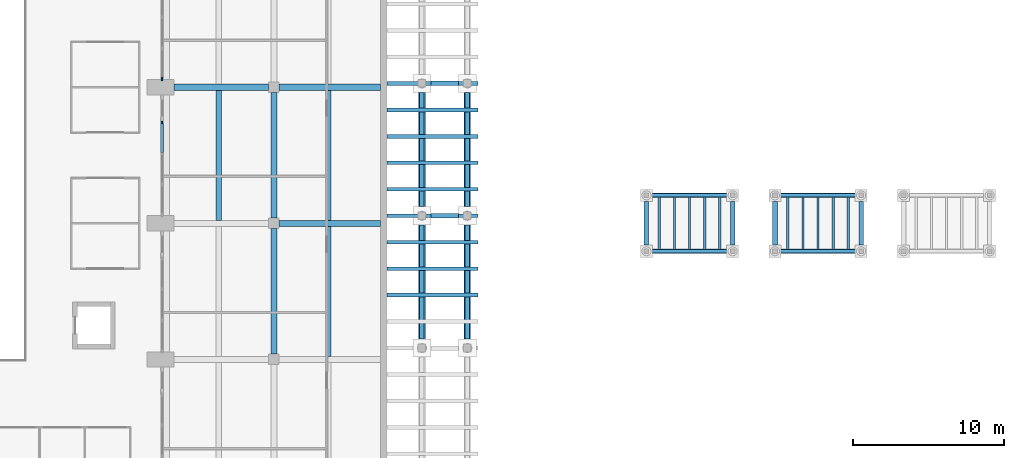
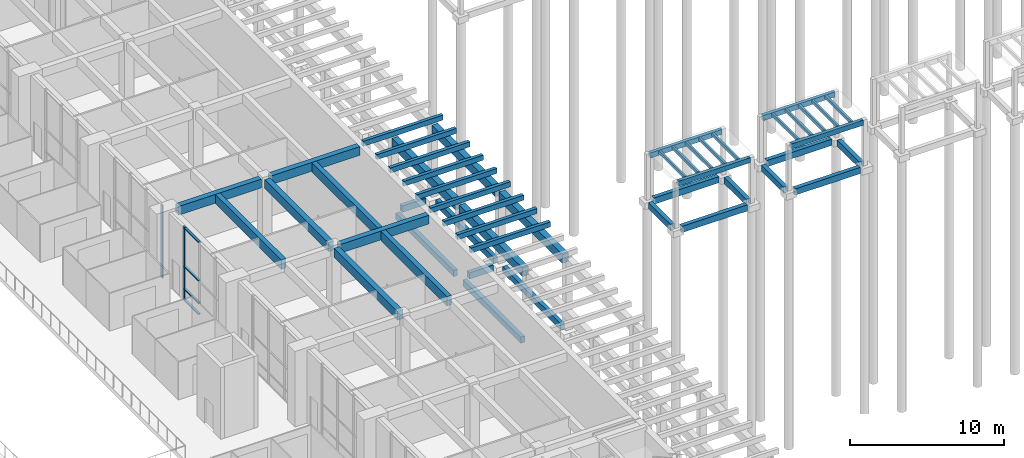
# One storey, part 15 of 51: 49 beams, 6 members, 2 elements without a shape of their own.
"""IFC4 building model written with IfcOpenShell, lengths in metres."""

import ifcopenshell
import ifcopenshell.guid

model = None  # the IFC model being written
_history = None  # IfcOwnerHistory: only IFC2X3 demands one
_inside = {}  # id of a spatial element -> (the spatial element, [elements in it])
_under = {}  # id of a project, library or spatial element -> (it, [spatial elements below it])
_declared = {}  # id of a project -> (the project, [libraries it declares])
_typed = {}  # id of a type object -> (the type object, [elements of that type])
_made_of = {}  # id of a material, layer set ... -> (it, [elements and type objects made of it])


def new_model(schema):
    """Start an empty IFC model of exactly this schema.

    Asked for "IFC4X3", IfcOpenShell would pick the latest addendum, in which some entities
    have other attributes; the version numbers below select the first issue.
    IFC2X3 requires an IfcOwnerHistory on every rooted entity: one is made here for all.
    """
    global model, _history
    if schema == "IFC4X3":
        model = ifcopenshell.file(schema_version=(4, 3, 0, 0))
    else:
        model = ifcopenshell.file(schema=schema)
    _inside.clear()
    _under.clear()
    _declared.clear()
    _typed.clear()
    _made_of.clear()
    _history = None
    if model.schema == "IFC2X3":
        org = make("IfcOrganization", Name="unknown")
        user = make(
            "IfcPersonAndOrganization",
            ThePerson=make("IfcPerson", FamilyName="unknown"),
            TheOrganization=org,
        )
        app = make(
            "IfcApplication",
            ApplicationDeveloper=org,
            Version="unknown",
            ApplicationFullName="unknown",
            ApplicationIdentifier="unknown",
        )
        _history = make(
            "IfcOwnerHistory",
            OwningUser=user,
            OwningApplication=app,
            ChangeAction="ADDED",
            CreationDate=0,
        )
    return model


def make(cls, **values):
    """One entity of the class cls with the attributes given. An attribute that is None is left unset."""
    return model.create_entity(
        cls, **{name: value for name, value in values.items() if value is not None}
    )


def rooted(cls, **values):
    """An entity with a GlobalId (a new one), such as an element, a storey or a relation."""
    return make(cls, GlobalId=ifcopenshell.guid.new(), OwnerHistory=_history, **values)


def si_unit(unit_type, name, prefix=None):
    """IfcSIUnit, for example si_unit("LENGTHUNIT", "METRE", prefix="MILLI")."""
    return make("IfcSIUnit", UnitType=unit_type, Prefix=prefix, Name=name)


def assignment(units):
    """IfcUnitAssignment: the units of a project."""
    return None if units is None else make("IfcUnitAssignment", Units=units)


def point(xyz):
    """IfcCartesianPoint."""
    return None if xyz is None else make("IfcCartesianPoint", Coordinates=xyz)


def direction(xyz):
    """IfcDirection."""
    return None if xyz is None else make("IfcDirection", DirectionRatios=xyz)


def frame(location, z_axis=None, x_axis=None):
    """IfcAxis2Placement3D, a coordinate frame: its origin and axes. An axis left out is left unset."""
    return make(
        "IfcAxis2Placement3D",
        Location=point(location),
        Axis=direction(z_axis),
        RefDirection=direction(x_axis),
    )


def frame_2d(location, x_axis=None):
    """IfcAxis2Placement2D, a coordinate frame in the plane: its origin and x axis."""
    return make(
        "IfcAxis2Placement2D", Location=point(location), RefDirection=direction(x_axis)
    )


def origin():
    """The frame at (0, 0, 0) with its axes left unset."""
    return frame((0.0, 0.0, 0.0))


def origin_2d():
    """The frame at (0, 0) in the plane with its x axis left unset."""
    return frame_2d((0.0, 0.0))


def place(relative_to, where):
    """IfcLocalPlacement: puts the frame where relative to a parent placement (None: the world)."""
    return make(
        "IfcLocalPlacement", PlacementRelTo=relative_to, RelativePlacement=where
    )


def context(
    kind, dimensions, precision=None, world=None, true_north=None, identifier=None
):
    """IfcGeometricRepresentationContext, for example the 3D "Model" context."""
    return make(
        "IfcGeometricRepresentationContext",
        ContextIdentifier=identifier,
        ContextType=kind,
        CoordinateSpaceDimension=dimensions,
        Precision=precision,
        WorldCoordinateSystem=world,
        TrueNorth=true_north,
    )


def subcontext(parent, identifier, kind, view, scale=None):
    """IfcGeometricRepresentationSubContext, for example "Body" below "Model"."""
    return make(
        "IfcGeometricRepresentationSubContext",
        ContextIdentifier=identifier,
        ContextType=kind,
        ParentContext=parent,
        TargetScale=scale,
        TargetView=view,
    )


def project(units=None, contexts=None):
    """IfcProject with its units and contexts."""
    return rooted(
        "IfcProject",
        Name="project",
        RepresentationContexts=contexts,
        UnitsInContext=assignment(units),
    )


def spatial(cls, under=None, at=None, **own):
    """A site, building, storey or space (cls), placed at a placement, below another one or the project."""
    s = rooted(cls, ObjectPlacement=at, **own)
    if under is not None:
        _under.setdefault(under.id(), (under, []))[1].append(s)
    return s


def profile(cls, at=None, kind="AREA", **sizes):
    """A parametric profile (cls). Its sizes go by their IFC names, for example OverallWidth=200.0."""
    return make(cls, ProfileType=kind, Position=at, **sizes)


def rectangle(**sizes):
    """IfcRectangleProfileDef."""
    return profile("IfcRectangleProfileDef", **sizes)


def extrude(swept, where, along, depth):
    """IfcExtrudedAreaSolid: the profile swept, set in the frame where, extruded along a direction by depth."""
    return make(
        "IfcExtrudedAreaSolid",
        SweptArea=swept,
        Position=where,
        ExtrudedDirection=direction(along),
        Depth=depth,
    )


def shape(context_of_items, identifier, shape_type, items):
    """IfcShapeRepresentation: the items that make up one representation, for example the "Body"."""
    return make(
        "IfcShapeRepresentation",
        ContextOfItems=context_of_items,
        RepresentationIdentifier=identifier,
        RepresentationType=shape_type,
        Items=items,
    )


def material(Name=None, Category=None):
    """IfcMaterial."""
    return make("IfcMaterial", Name=Name, Category=Category)


def material_profile(
    of_material, cross_section, Name=None, Category=None, Priority=None
):
    """IfcMaterialProfile: a cross section and its material."""
    return make(
        "IfcMaterialProfile",
        Name=Name,
        Material=of_material,
        Profile=cross_section,
        Priority=Priority,
        Category=Category,
    )


def profile_set(profiles, Name=None, composite=None):
    """IfcMaterialProfileSet."""
    return make(
        "IfcMaterialProfileSet",
        Name=Name,
        MaterialProfiles=profiles,
        CompositeProfile=composite,
    )


def made_of(thing, what):
    """Note that an element or type object is made of a material, layer set ...; save() writes the relation."""
    if what is not None:
        _made_of.setdefault(what.id(), (what, []))[1].append(thing)
    return thing


def type_object(cls, material=None, **own):
    """A type object (cls), such as IfcWallType, which elements share."""
    return made_of(rooted(cls, **own), material)


def element(
    cls,
    number,
    at=None,
    inside=None,
    cuts=None,
    type_object=None,
    material=None,
    context=None,
    identifier="Body",
    shape_type=None,
    held_by="IfcProductDefinitionShape",
    body=None,
    shapes=None,
    **own,
):
    """One element of the class cls, such as IfcWall. Its Tag is "e" and its number.

    at: its placement. inside: the storey or other place that contains it. cuts: it is an
    opening in that element (IfcRelVoidsElement). A single representation is given by context,
    identifier, shape_type and body (its items); several are given by shapes. held_by: the class
    of the entity that holds the representations. save() writes the other relations.
    """
    e = rooted(cls, Tag="e%d" % number, ObjectPlacement=at, **own)
    if body is not None:
        shapes = [shape(context, identifier, shape_type, body)]
    if shapes is not None:
        e.Representation = make(held_by, Representations=shapes)
    if inside is not None:
        _inside.setdefault(inside.id(), (inside, []))[1].append(e)
    if cuts is not None:
        rooted(
            "IfcRelVoidsElement", RelatingBuildingElement=cuts, RelatedOpeningElement=e
        )
    if type_object is not None:
        _typed.setdefault(type_object.id(), (type_object, []))[1].append(e)
    return made_of(e, material)


def aggregate(whole, parts):
    """IfcRelAggregates: a whole, such as a stair, and the parts it consists of."""
    return rooted("IfcRelAggregates", RelatingObject=whole, RelatedObjects=parts)


def save(model, path):
    """Write the relations noted so far, then the file.

    IfcRelAggregates (storeys below a building ...), IfcRelContainedInSpatialStructure (elements
    in a storey), IfcRelDefinesByType, IfcRelAssociatesMaterial and IfcRelDeclares: one each for
    every whole, place, type object, material and project.
    """
    for whole, parts in _under.values():
        aggregate(whole, parts)
    for where, things in _inside.values():
        rooted(
            "IfcRelContainedInSpatialStructure",
            RelatedElements=things,
            RelatingStructure=where,
        )
    for kind, things in _typed.values():
        rooted("IfcRelDefinesByType", RelatedObjects=things, RelatingType=kind)
    for what, things in _made_of.values():
        rooted("IfcRelAssociatesMaterial", RelatedObjects=things, RelatingMaterial=what)
    for by, libraries in _declared.values():
        rooted("IfcRelDeclares", RelatingContext=by, RelatedDefinitions=libraries)
    model.write(path)


model = new_model("IFC4")

# Units and contexts
model_context = context("Model", 3, precision=1e-05, world=origin(), true_north=direction((0.0, 1.0)))
body_context = subcontext(model_context, "Body", "Model", "MODEL_VIEW")
ifc_project = project(units=[si_unit("LENGTHUNIT", "METRE"), si_unit("AREAUNIT", "SQUARE_METRE"), si_unit("VOLUMEUNIT", "CUBIC_METRE"), si_unit("PLANEANGLEUNIT", "RADIAN"), si_unit("MASSUNIT", "GRAM", prefix="KILO")], contexts=[model_context])

# Site, building, storey
site_placement = place(None, origin())
site = spatial("IfcSite", under=ifc_project, at=site_placement, CompositionType="ELEMENT")
building_placement = place(site_placement, origin())
building = spatial("IfcBuilding", under=site, at=building_placement, Name="Elmora Arch Market Hall", CompositionType="ELEMENT")
storey_placement = place(building_placement, origin())
storey = spatial("IfcBuildingStorey", under=building, at=storey_placement, Name="L00", CompositionType="ELEMENT", Elevation=0.0)

# Beams
ifc_material_1 = material(Name="Concrete C32/40", Category="concrete")
ifc_material_profile_1 = material_profile(ifc_material_1, rectangle(XDim=0.25, YDim=0.39990234375, at=origin_2d()), Name="Canopy joist 250x400")
ifc_profile_set_1 = profile_set([ifc_material_profile_1], Name="Concrete C32/40")
beam_type_1 = type_object("IfcBeamType", Name="Canopy joist 250x400", PredefinedType="JOIST", material=ifc_profile_set_1)
for number, where, z_axis, x_axis, name in (
    (1, (58.0, 49.25, 5.64990234375), (1.0, 0.0, 0.0), (0.0, 1.0, 0.0), "Canopy joist PE-J18 L00.1"),
    (2, (58.0, 51.0, 5.64990234375), (1.0, 0.0, 0.0), (0.0, 1.0, 0.0), "Canopy joist PE-J19 L00.1"),
    (3, (58.0, 52.75, 5.64990234375), (1.0, 0.0, 0.0), (0.0, 1.0, 0.0), "Canopy joist PE-J20 L00.1"),
    (4, (58.0, 54.5, 5.64990234375), (1.0, 0.0, 0.0), (0.0, 1.0, 0.0), "Canopy joist PE-J21 L00.1"),
    (5, (58.0, 56.25, 5.64990234375), (1.0, 0.0, 0.0), (0.0, 1.0, 0.0), "Canopy joist PE-J22 L00.1"),
    (6, (58.0, 58.0, 5.64990234375), (1.0, 0.0, 0.0), (0.0, 1.0, 0.0), "Canopy joist PE-J23 L00.1"),
    (7, (58.0, 59.75, 5.64990234375), (1.0, 0.0, 0.0), (0.0, 1.0, 0.0), "Canopy joist PE-J24 L00.1"),
    (8, (58.0, 61.5, 5.64990234375), (1.0, 0.0, 0.0), (0.0, 1.0, 0.0), "Canopy joist PE-J25 L00.1"),
    (9, (58.0, 63.25, 5.64990234375), (1.0, 0.0, 0.0), (0.0, 1.0, 0.0), "Canopy joist PE-J26 L00.1"),
):
    element("IfcBeam", number, at=place(storey_placement, frame(where, z_axis=z_axis, x_axis=x_axis)), inside=storey, type_object=beam_type_1, Name=name, PredefinedType="JOIST", context=body_context, shape_type="SweptSolid", body=[
        extrude(rectangle(XDim=0.25, YDim=0.39990234375, at=origin_2d()), origin(), (0.0, 0.0, 1.0), 6.0),
    ])

# Curtain wall, member
ifc_material_2 = material(Name="Aluminium", Category="aluminium")
curtain_wall_type = type_object("IfcCurtainWallType", Name="Shopfront curtain wall", PredefinedType="NOTDEFINED", material=ifc_material_2)
curtain_wall_1_placement = place(storey_placement, origin())
curtain_wall_1 = element("IfcCurtainWall", 10, at=curtain_wall_1_placement, inside=storey, type_object=curtain_wall_type, Name="Shopfront E 4", PredefinedType="NOTDEFINED")
ifc_material_3 = material(Name="Aluminium", Category="aluminium")
ifc_material_profile_2 = material_profile(ifc_material_3, rectangle(XDim=0.10009765625, YDim=0.219970703125, at=origin_2d()), Name="AL 100x220")
ifc_profile_set_2 = profile_set([ifc_material_profile_2], Name="Aluminium")
member_type_1 = type_object("IfcMemberType", Name="Mullion 100x220", PredefinedType="MULLION", material=ifc_profile_set_2)
member_1_placement = place(storey_placement, frame((43.10009765625, 60.64990234375, 0.0), z_axis=(0.0, 0.0, 1.0), x_axis=(-1.0, 0.0, 0.0)))
member_1 = element("IfcMember", 11, at=member_1_placement, type_object=member_type_1, Name="CW3 mullion 4", PredefinedType="MULLION", context=body_context, shape_type="SweptSolid", body=[
    extrude(rectangle(XDim=0.10009765625, YDim=0.219970703125, at=origin_2d()), origin(), (0.0, 0.0, 1.0), 5.800048828125),
])

curtain_wall_2_placement = place(storey_placement, origin())
curtain_wall_2 = element("IfcCurtainWall", 12, at=curtain_wall_2_placement, inside=storey, type_object=curtain_wall_type, Name="Shopfront E 5", PredefinedType="NOTDEFINED")
member_2_placement = place(storey_placement, frame((43.10009765625, 63.550048828125, 0.0), z_axis=(0.0, 0.0, 1.0), x_axis=(-1.0, 0.0, 0.0)))
member_2 = element("IfcMember", 13, at=member_2_placement, type_object=member_type_1, Name="CW3 mullion 1", PredefinedType="MULLION", context=body_context, shape_type="SweptSolid", body=[
    extrude(rectangle(XDim=0.10009765625, YDim=0.219970703125, at=origin_2d()), origin(), (0.0, 0.0, 1.0), 5.800048828125),
])
aggregate(curtain_wall_2, [member_2])

# Beams
ifc_material_4 = material(Name="Concrete C32/40", Category="concrete")
ifc_material_profile_3 = material_profile(ifc_material_4, rectangle(XDim=0.300048828125, YDim=0.5, at=origin_2d()), Name="Pad tie beam 300x500")
ifc_profile_set_3 = profile_set([ifc_material_profile_3], Name="Concrete C32/40")
beam_type_2 = type_object("IfcBeamType", Name="Pad tie beam 300x500", PredefinedType="BEAM", material=ifc_profile_set_3)
for number, where, z_axis, x_axis, name in (
    (14, (60.89990234375, 54.5, -0.550048828125), (1.0, 0.0, 0.0), (0.0, 1.0, 0.0), "Pad tie beam 037"),
    (15, (60.89990234375, 63.25, -0.550048828125), (1.0, 0.0, 0.0), (0.0, 1.0, 0.0), "Pad tie beam 038"),
):
    element("IfcBeam", number, at=place(storey_placement, frame(where, z_axis=z_axis, x_axis=x_axis)), inside=storey, type_object=beam_type_2, Name=name, PredefinedType="BEAM", context=body_context, shape_type="SweptSolid", body=[
        extrude(rectangle(XDim=0.300048828125, YDim=0.5, at=origin_2d()), origin(), (0.0, 0.0, 1.0), 1.800048828125),
    ])
for number, where, z_axis, x_axis, name in (
    (16, (60.300048828125, 46.35009765625, -0.550048828125), (0.0, 1.0, 0.0), (-1.0, 0.0, 0.0), "Pad tie beam 049"),
    (17, (60.300048828125, 55.10009765625, -0.550048828125), (0.0, 1.0, 0.0), (-1.0, 0.0, 0.0), "Pad tie beam 050"),
    (18, (63.300048828125, 46.35009765625, -0.550048828125), (0.0, 1.0, 0.0), (-1.0, 0.0, 0.0), "Pad tie beam 061"),
    (19, (63.300048828125, 55.10009765625, -0.550048828125), (0.0, 1.0, 0.0), (-1.0, 0.0, 0.0), "Pad tie beam 062"),
):
    element("IfcBeam", number, at=place(storey_placement, frame(where, z_axis=z_axis, x_axis=x_axis)), inside=storey, type_object=beam_type_2, Name=name, PredefinedType="BEAM", context=body_context, shape_type="SweptSolid", body=[
        extrude(rectangle(XDim=0.300048828125, YDim=0.5, at=origin_2d()), origin(), (0.0, 0.0, 1.0), 7.5498046875),
    ])
for number, where, z_axis, x_axis, name in (
    (20, (75.550048828125, 52.14990234375, -0.550048828125), (1.0, 0.0, 0.0), (0.0, 1.0, 0.0), "Pad tie beam 080"),
    (21, (75.550048828125, 55.85009765625, -0.550048828125), (1.0, 0.0, 0.0), (0.0, 1.0, 0.0), "Pad tie beam 081"),
):
    element("IfcBeam", number, at=place(storey_placement, frame(where, z_axis=z_axis, x_axis=x_axis)), inside=storey, type_object=beam_type_2, Name=name, PredefinedType="BEAM", context=body_context, shape_type="SweptSolid", body=[
        extrude(rectangle(XDim=0.300048828125, YDim=0.5, at=origin_2d()), origin(), (0.0, 0.0, 1.0), 4.89990234375),
    ])
for number, where, z_axis, x_axis, name in (
    (22, (75.14990234375, 52.550048828125, -0.550048828125), (0.0, 1.0, 0.0), (-1.0, 0.0, 0.0), "Pad tie beam 082"),
    (23, (80.85009765625, 52.550048828125, -0.550048828125), (0.0, 1.0, 0.0), (-1.0, 0.0, 0.0), "Pad tie beam 083"),
):
    element("IfcBeam", number, at=place(storey_placement, frame(where, z_axis=z_axis, x_axis=x_axis)), inside=storey, type_object=beam_type_2, Name=name, PredefinedType="BEAM", context=body_context, shape_type="SweptSolid", body=[
        extrude(rectangle(XDim=0.300048828125, YDim=0.5, at=origin_2d()), origin(), (0.0, 0.0, 1.0), 2.89990234375),
    ])
for number, where, z_axis, x_axis, name in (
    (24, (84.050048828125, 52.14990234375, -0.550048828125), (1.0, 0.0, 0.0), (0.0, 1.0, 0.0), "Pad tie beam 084"),
    (25, (84.050048828125, 55.85009765625, -0.550048828125), (1.0, 0.0, 0.0), (0.0, 1.0, 0.0), "Pad tie beam 085"),
):
    element("IfcBeam", number, at=place(storey_placement, frame(where, z_axis=z_axis, x_axis=x_axis)), inside=storey, type_object=beam_type_2, Name=name, PredefinedType="BEAM", context=body_context, shape_type="SweptSolid", body=[
        extrude(rectangle(XDim=0.300048828125, YDim=0.5, at=origin_2d()), origin(), (0.0, 0.0, 1.0), 4.89990234375),
    ])
for number, where, z_axis, x_axis, name in (
    (26, (83.64990234375, 52.550048828125, -0.550048828125), (0.0, 1.0, 0.0), (-1.0, 0.0, 0.0), "Pad tie beam 086"),
    (27, (89.35009765625, 52.550048828125, -0.550048828125), (0.0, 1.0, 0.0), (-1.0, 0.0, 0.0), "Pad tie beam 087"),
):
    element("IfcBeam", number, at=place(storey_placement, frame(where, z_axis=z_axis, x_axis=x_axis)), inside=storey, type_object=beam_type_2, Name=name, PredefinedType="BEAM", context=body_context, shape_type="SweptSolid", body=[
        extrude(rectangle(XDim=0.300048828125, YDim=0.5, at=origin_2d()), origin(), (0.0, 0.0, 1.0), 2.89990234375),
    ])
ifc_material_5 = material(Name="Concrete C32/40", Category="concrete")
ifc_material_profile_4 = material_profile(ifc_material_5, rectangle(XDim=0.449951171875, YDim=0.699951171875, at=origin_2d()), Name="Passage girder 450x700")
ifc_profile_set_4 = profile_set([ifc_material_profile_4], Name="Concrete C32/40")
beam_type_3 = type_object("IfcBeamType", Name="Passage girder 450x700", PredefinedType="BEAM", material=ifc_profile_set_4)
for number, where, z_axis, x_axis, name in (
    (28, (60.300048828125, 46.0, 5.10009765625), (0.0, 1.0, 0.0), (-1.0, 0.0, 0.0), "Passage girder PASS-E-G1 L00.4"),
    (29, (60.300048828125, 54.75, 5.10009765625), (0.0, 1.0, 0.0), (-1.0, 0.0, 0.0), "Passage girder PASS-E-G1 L00.5"),
    (30, (63.300048828125, 46.0, 5.10009765625), (0.0, 1.0, 0.0), (-1.0, 0.0, 0.0), "Passage girder PASS-E-G2 L00.4"),
    (31, (63.300048828125, 54.75, 5.10009765625), (0.0, 1.0, 0.0), (-1.0, 0.0, 0.0), "Passage girder PASS-E-G2 L00.5"),
):
    element("IfcBeam", number, at=place(storey_placement, frame(where, z_axis=z_axis, x_axis=x_axis)), inside=storey, type_object=beam_type_3, Name=name, PredefinedType="BEAM", context=body_context, shape_type="SweptSolid", body=[
        extrude(rectangle(XDim=0.449951171875, YDim=0.699951171875, at=origin_2d()), origin(), (0.0, 0.0, 1.0), 8.25),
    ])
ifc_material_6 = material(Name="Concrete C32/40", Category="concrete")
ifc_material_profile_5 = material_profile(ifc_material_6, rectangle(XDim=0.25, YDim=0.39990234375, at=origin_2d()), Name="Stall beam 250x400")
ifc_profile_set_5 = profile_set([ifc_material_profile_5], Name="Concrete C32/40")
beam_type_4 = type_object("IfcBeamType", Name="Stall beam 250x400", PredefinedType="BEAM", material=ifc_profile_set_5)
for number, where, z_axis, x_axis, name in (
    (32, (75.300048828125, 52.14990234375, 3.14990234375), (1.0, 0.0, 0.0), (0.0, 1.0, 0.0), "Stall beam STALL-11-B1 L00.1"),
    (33, (75.300048828125, 55.85009765625, 3.14990234375), (1.0, 0.0, 0.0), (0.0, 1.0, 0.0), "Stall beam STALL-11-B2 L00.1"),
    (34, (83.800048828125, 52.14990234375, 3.14990234375), (1.0, 0.0, 0.0), (0.0, 1.0, 0.0), "Stall beam STALL-12-B1 L00.1"),
    (35, (83.800048828125, 55.85009765625, 3.14990234375), (1.0, 0.0, 0.0), (0.0, 1.0, 0.0), "Stall beam STALL-12-B2 L00.1"),
):
    element("IfcBeam", number, at=place(storey_placement, frame(where, z_axis=z_axis, x_axis=x_axis)), inside=storey, type_object=beam_type_4, Name=name, PredefinedType="BEAM", context=body_context, shape_type="SweptSolid", body=[
        extrude(rectangle(XDim=0.25, YDim=0.39990234375, at=origin_2d()), origin(), (0.0, 0.0, 1.0), 5.39990234375),
    ])
ifc_material_7 = material(Name="Concrete C32/40", Category="concrete")
ifc_material_profile_6 = material_profile(ifc_material_7, rectangle(XDim=0.14990234375, YDim=0.25, at=origin_2d()), Name="Stall joist 150x250")
ifc_profile_set_6 = profile_set([ifc_material_profile_6], Name="Concrete C32/40")
beam_type_5 = type_object("IfcBeamType", Name="Stall joist 150x250", PredefinedType="JOIST", material=ifc_profile_set_6)
for number, where, z_axis, x_axis, name in (
    (36, (76.0, 52.27490234375, 3.22509765625), (0.0, 1.0, 0.0), (-1.0, 0.0, 0.0), "Stall joist STALL-11-J1 L00.1"),
    (37, (77.0, 52.27490234375, 3.22509765625), (0.0, 1.0, 0.0), (-1.0, 0.0, 0.0), "Stall joist STALL-11-J2 L00.1"),
    (38, (78.0, 52.27490234375, 3.22509765625), (0.0, 1.0, 0.0), (-1.0, 0.0, 0.0), "Stall joist STALL-11-J3 L00.1"),
    (39, (79.0, 52.27490234375, 3.22509765625), (0.0, 1.0, 0.0), (-1.0, 0.0, 0.0), "Stall joist STALL-11-J4 L00.1"),
    (40, (80.0, 52.27490234375, 3.22509765625), (0.0, 1.0, 0.0), (-1.0, 0.0, 0.0), "Stall joist STALL-11-J5 L00.1"),
    (41, (84.5, 52.27490234375, 3.22509765625), (0.0, 1.0, 0.0), (-1.0, 0.0, 0.0), "Stall joist STALL-12-J1 L00.1"),
    (42, (85.5, 52.27490234375, 3.22509765625), (0.0, 1.0, 0.0), (-1.0, 0.0, 0.0), "Stall joist STALL-12-J2 L00.1"),
    (43, (86.5, 52.27490234375, 3.22509765625), (0.0, 1.0, 0.0), (-1.0, 0.0, 0.0), "Stall joist STALL-12-J3 L00.1"),
    (44, (87.5, 52.27490234375, 3.22509765625), (0.0, 1.0, 0.0), (-1.0, 0.0, 0.0), "Stall joist STALL-12-J4 L00.1"),
    (45, (88.5, 52.27490234375, 3.22509765625), (0.0, 1.0, 0.0), (-1.0, 0.0, 0.0), "Stall joist STALL-12-J5 L00.1"),
):
    element("IfcBeam", number, at=place(storey_placement, frame(where, z_axis=z_axis, x_axis=x_axis)), inside=storey, type_object=beam_type_5, Name=name, PredefinedType="JOIST", context=body_context, shape_type="SweptSolid", body=[
        extrude(rectangle(XDim=0.14990234375, YDim=0.25, at=origin_2d()), origin(), (0.0, 0.0, 1.0), 3.4501953125),
    ])

# Member
ifc_material_8 = material(Name="Aluminium", Category="aluminium")
ifc_material_profile_7 = material_profile(ifc_material_8, rectangle(XDim=0.179931640625, YDim=0.074951171875, at=origin_2d()), Name="AL 180x75")
ifc_profile_set_7 = profile_set([ifc_material_profile_7], Name="Aluminium")
member_type_2 = type_object("IfcMemberType", Name="Transom 180x75", PredefinedType="USERDEFINED", material=ifc_profile_set_7)
member_3_placement = place(storey_placement, frame((43.10009765625, 58.683349609375, 0.03759765625), z_axis=(0.0, 1.0, 0.0), x_axis=(-1.0, 0.0, 0.0)))
member_3 = element("IfcMember", 46, at=member_3_placement, type_object=member_type_2, Name="CW3 transom 3.1", ObjectType="TRANSOM", PredefinedType="USERDEFINED", context=body_context, shape_type="SweptSolid", body=[
    extrude(rectangle(XDim=0.179931640625, YDim=0.074951171875, at=origin_2d()), origin(), (0.0, 0.0, 1.0), 1.916748046875),
])

member_4_placement = place(storey_placement, frame((43.10009765625, 58.683349609375, 0.89990234375), z_axis=(0.0, 1.0, 0.0), x_axis=(-1.0, 0.0, 0.0)))
member_4 = element("IfcMember", 47, at=member_4_placement, type_object=member_type_2, Name="CW3 transom 3.2", ObjectType="TRANSOM", PredefinedType="USERDEFINED", context=body_context, shape_type="SweptSolid", body=[
    extrude(rectangle(XDim=0.179931640625, YDim=0.074951171875, at=origin_2d()), origin(), (0.0, 0.0, 1.0), 1.916748046875),
])

member_5_placement = place(storey_placement, frame((43.10009765625, 58.683349609375, 2.699951171875), z_axis=(0.0, 1.0, 0.0), x_axis=(-1.0, 0.0, 0.0)))
member_5 = element("IfcMember", 48, at=member_5_placement, type_object=member_type_2, Name="CW3 transom 3.3", ObjectType="TRANSOM", PredefinedType="USERDEFINED", context=body_context, shape_type="SweptSolid", body=[
    extrude(rectangle(XDim=0.179931640625, YDim=0.074951171875, at=origin_2d()), origin(), (0.0, 0.0, 1.0), 1.916748046875),
])

member_6_placement = place(storey_placement, frame((43.10009765625, 58.683349609375, 5.762451171875), z_axis=(0.0, 1.0, 0.0), x_axis=(-1.0, 0.0, 0.0)))
member_6 = element("IfcMember", 49, at=member_6_placement, type_object=member_type_2, Name="CW3 transom 3.4", ObjectType="TRANSOM", PredefinedType="USERDEFINED", context=body_context, shape_type="SweptSolid", body=[
    extrude(rectangle(XDim=0.179931640625, YDim=0.074951171875, at=origin_2d()), origin(), (0.0, 0.0, 1.0), 1.916748046875),
])

aggregate(curtain_wall_1, [member_1, member_3, member_4, member_5, member_6])

# Beams
ifc_material_9 = material(Name="Concrete C32/40", Category="concrete")
ifc_material_profile_8 = material_profile(ifc_material_9, rectangle(XDim=0.39990234375, YDim=0.699951171875, at=origin_2d()), Name="Wing beam 400x700")
ifc_profile_set_8 = profile_set([ifc_material_profile_8], Name="Concrete C32/40")
beam_type_6 = type_object("IfcBeamType", Name="Wing beam 400x700", PredefinedType="BEAM", material=ifc_profile_set_8)
beam_1_placement = place(storey_placement, frame((50.85009765625, 54.0, 5.449951171875), z_axis=(1.0, 0.0, 0.0), x_axis=(0.0, 1.0, 0.0)))
element("IfcBeam", 50, at=beam_1_placement, inside=storey, type_object=beam_type_6, Name="Wing beam ER4 L00.2", PredefinedType="BEAM", context=body_context, shape_type="SweptSolid", body=[
    extrude(rectangle(XDim=0.39990234375, YDim=0.699951171875, at=origin_2d()), origin(), (0.0, 0.0, 1.0), 6.699951171875),
])
beam_2_placement = place(storey_placement, frame((43.89990234375, 63.0, 5.449951171875), z_axis=(1.0, 0.0, 0.0), x_axis=(0.0, 1.0, 0.0)))
element("IfcBeam", 51, at=beam_2_placement, inside=storey, type_object=beam_type_6, Name="Wing beam ER5 L00.1", PredefinedType="BEAM", context=body_context, shape_type="SweptSolid", body=[
    extrude(rectangle(XDim=0.39990234375, YDim=0.699951171875, at=origin_2d()), origin(), (0.0, 0.0, 1.0), 6.25),
])
beam_3_placement = place(storey_placement, frame((50.85009765625, 63.0, 5.449951171875), z_axis=(1.0, 0.0, 0.0), x_axis=(0.0, 1.0, 0.0)))
element("IfcBeam", 52, at=beam_3_placement, inside=storey, type_object=beam_type_6, Name="Wing beam ER5 L00.2", PredefinedType="BEAM", context=body_context, shape_type="SweptSolid", body=[
    extrude(rectangle(XDim=0.39990234375, YDim=0.699951171875, at=origin_2d()), origin(), (0.0, 0.0, 1.0), 6.699951171875),
])
for number, where, z_axis, x_axis, name in (
    (53, (50.5, 45.35009765625, 5.449951171875), (0.0, 1.0, 0.0), (-1.0, 0.0, 0.0), "Wing beam EG L00.3"),
    (54, (50.5, 54.35009765625, 5.449951171875), (0.0, 1.0, 0.0), (-1.0, 0.0, 0.0), "Wing beam EG L00.4"),
):
    element("IfcBeam", number, at=place(storey_placement, frame(where, z_axis=z_axis, x_axis=x_axis)), inside=storey, type_object=beam_type_6, Name=name, PredefinedType="BEAM", context=body_context, shape_type="SweptSolid", body=[
        extrude(rectangle(XDim=0.39990234375, YDim=0.699951171875, at=origin_2d()), origin(), (0.0, 0.0, 1.0), 8.2998046875),
    ])
ifc_material_10 = material(Name="Concrete C32/40", Category="concrete")
ifc_material_profile_9 = material_profile(ifc_material_10, rectangle(XDim=0.35009765625, YDim=0.75, at=origin_2d()), Name="Wing joist 350x750")
ifc_profile_set_9 = profile_set([ifc_material_profile_9], Name="Concrete C32/40")
beam_type_7 = type_object("IfcBeamType", Name="Wing joist 350x750", PredefinedType="JOIST", material=ifc_profile_set_9)
for number, where, z_axis, x_axis, name in (
    (55, (46.85009765625, 54.199951171875, 5.425048828125), (0.0, 1.0, 0.0), (-1.0, 0.0, 0.0), "Wing joist EJ1 L00.4"),
    (56, (54.10009765625, 45.199951171875, 5.425048828125), (0.0, 1.0, 0.0), (-1.0, 0.0, 0.0), "Wing joist EJ2 L00.3"),
    (57, (54.10009765625, 54.199951171875, 5.425048828125), (0.0, 1.0, 0.0), (-1.0, 0.0, 0.0), "Wing joist EJ2 L00.4"),
):
    element("IfcBeam", number, at=place(storey_placement, frame(where, z_axis=z_axis, x_axis=x_axis)), inside=storey, type_object=beam_type_7, Name=name, PredefinedType="JOIST", context=body_context, shape_type="SweptSolid", body=[
        extrude(rectangle(XDim=0.35009765625, YDim=0.75, at=origin_2d()), origin(), (0.0, 0.0, 1.0), 8.60009765625),
    ])

save(model, "model.ifc")
